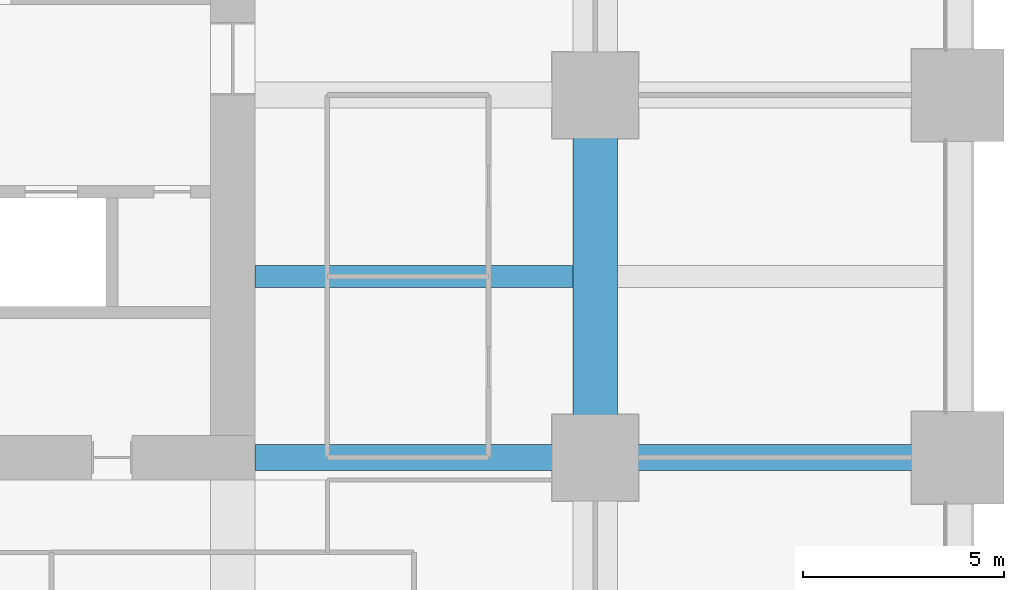
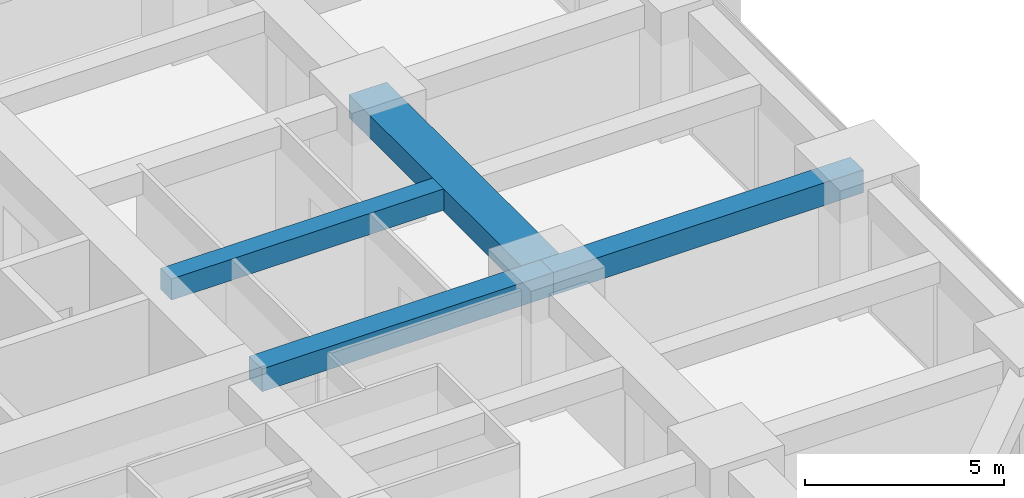
# One storey, part 19 of 44: 4 beams.
"""IFC4 building model written with IfcOpenShell, lengths in metres."""

from ifc_helpers import new_model, si_unit, direction, frame, origin, origin_2d, place, context, subcontext, project, spatial, rectangle, extrude, material, material_profile, profile_set, type_object, element, save


model = new_model("IFC4")

# Units and contexts
model_context = context("Model", 3, precision=1e-05, world=origin(), true_north=direction((0.0, 1.0)))
body_context = subcontext(model_context, "Body", "Model", "MODEL_VIEW")
ifc_project = project(units=[si_unit("LENGTHUNIT", "METRE"), si_unit("AREAUNIT", "SQUARE_METRE"), si_unit("VOLUMEUNIT", "CUBIC_METRE"), si_unit("PLANEANGLEUNIT", "RADIAN"), si_unit("MASSUNIT", "GRAM", prefix="KILO")], contexts=[model_context])

# Site, building, storey
site_placement = place(None, origin())
site = spatial("IfcSite", under=ifc_project, at=site_placement, CompositionType="ELEMENT")
building_placement = place(site_placement, origin())
building = spatial("IfcBuilding", under=site, at=building_placement, Name="Zorevar Civic Tower", CompositionType="ELEMENT")
storey_placement = place(building_placement, frame((0.0, 0.0, 59.800048828125)))
storey = spatial("IfcBuildingStorey", under=building, at=storey_placement, Name="L14", CompositionType="ELEMENT", Elevation=59.800048828125)

# Beams
ifc_material_1 = material(Name="Concrete C50/60", Category="concrete")
ifc_material_profile_1 = material_profile(ifc_material_1, rectangle(XDim=1.10009765625, YDim=0.699951171875, at=origin_2d()), Name="RC 1100x700")
ifc_profile_set_1 = profile_set([ifc_material_profile_1], Name="Concrete C50/60")
beam_type_1 = type_object("IfcBeamType", Name="Beam RC 1100x700", PredefinedType="BEAM", material=ifc_profile_set_1)
beam_1_placement = place(storey_placement, frame((54.0, 18.0, 3.39990234375), z_axis=(0.0, 1.0, 0.0), x_axis=(-1.0, 0.0, 0.0)))
element("IfcBeam", 1, at=beam_1_placement, inside=storey, type_object=beam_type_1, Name="Girder L15", PredefinedType="BEAM", context=body_context, shape_type="SweptSolid", body=[
    extrude(rectangle(XDim=1.10009765625, YDim=0.699951171875, at=origin_2d()), origin(), (0.0, 0.0, 1.0), 9.0),
])
ifc_material_2 = material(Name="Concrete C50/60", Category="concrete")
ifc_material_profile_2 = material_profile(ifc_material_2, rectangle(XDim=0.550048828125, YDim=0.64990234375, at=origin_2d()), Name="RC 550x650")
ifc_profile_set_2 = profile_set([ifc_material_profile_2], Name="Concrete C50/60")
beam_type_2 = type_object("IfcBeamType", Name="Beam RC 550x650", PredefinedType="BEAM", material=ifc_profile_set_2)
beam_2_placement = place(storey_placement, frame((45.550048828125, 22.5, 3.425048828125), z_axis=(1.0, 0.0, 0.0), x_axis=(0.0, 1.0, 0.0)))
element("IfcBeam", 2, at=beam_2_placement, inside=storey, type_object=beam_type_2, Name="Secondary beam L15", PredefinedType="BEAM", context=body_context, shape_type="SweptSolid", body=[
    extrude(rectangle(XDim=0.550048828125, YDim=0.64990234375, at=origin_2d()), origin(), (0.0, 0.0, 1.0), 7.89990234375),
])
ifc_material_3 = material(Name="Concrete C50/60", Category="concrete")
ifc_material_profile_3 = material_profile(ifc_material_3, rectangle(XDim=0.64990234375, YDim=0.699951171875, at=origin_2d()), Name="RC 650x700")
ifc_profile_set_3 = profile_set([ifc_material_profile_3], Name="Concrete C50/60")
beam_type_3 = type_object("IfcBeamType", Name="Beam RC 650x700", PredefinedType="BEAM", material=ifc_profile_set_3)
beam_3_placement = place(storey_placement, frame((45.550048828125, 18.0, 3.39990234375), z_axis=(1.0, 0.0, 0.0), x_axis=(0.0, 1.0, 0.0)))
element("IfcBeam", 3, at=beam_3_placement, inside=storey, type_object=beam_type_3, Name="Girder L15", PredefinedType="BEAM", context=body_context, shape_type="SweptSolid", body=[
    extrude(rectangle(XDim=0.64990234375, YDim=0.699951171875, at=origin_2d()), origin(), (0.0, 0.0, 1.0), 8.449951171875),
])
beam_4_placement = place(storey_placement, frame((54.0, 18.0, 3.39990234375), z_axis=(1.0, 0.0, 0.0), x_axis=(0.0, 1.0, 0.0)))
element("IfcBeam", 4, at=beam_4_placement, inside=storey, type_object=beam_type_3, Name="Girder L15", PredefinedType="BEAM", context=body_context, shape_type="SweptSolid", body=[
    extrude(rectangle(XDim=0.64990234375, YDim=0.699951171875, at=origin_2d()), origin(), (0.0, 0.0, 1.0), 9.0),
])

save(model, "model.ifc")
